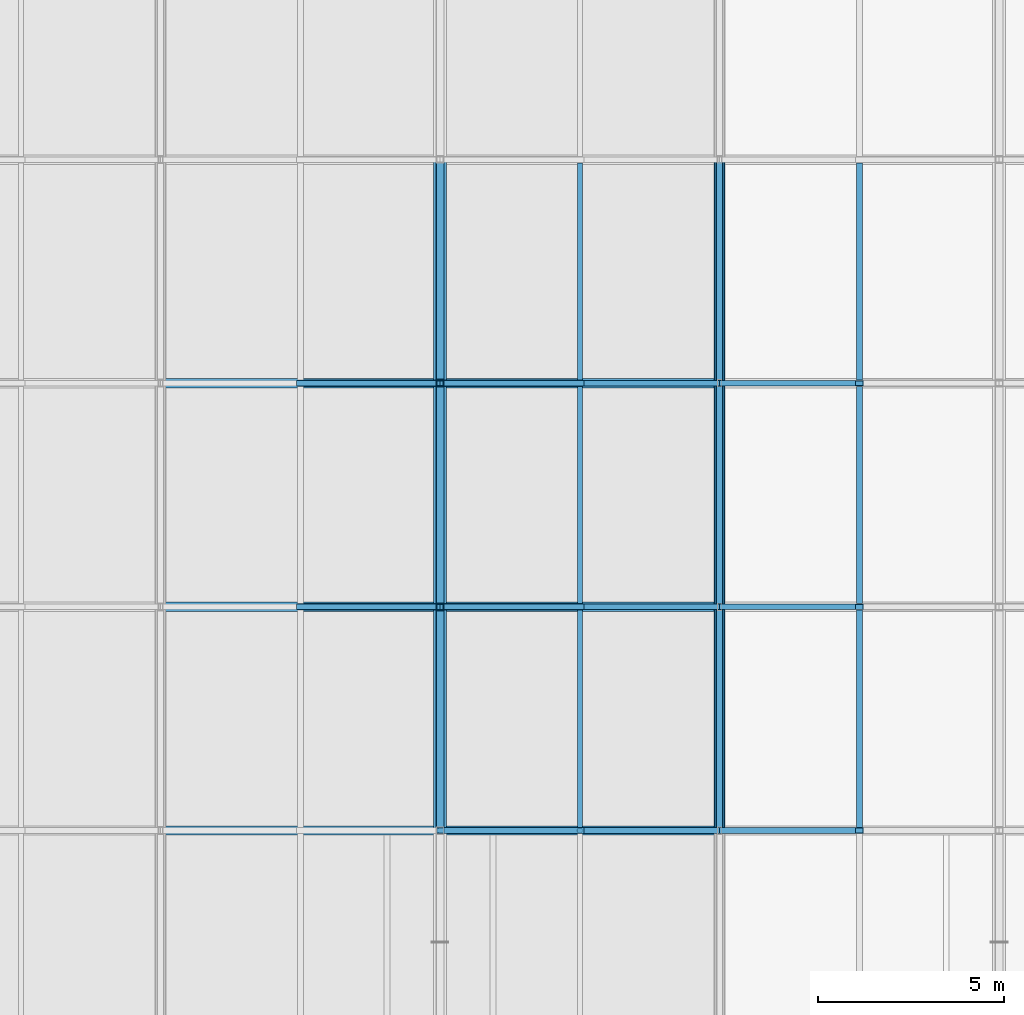
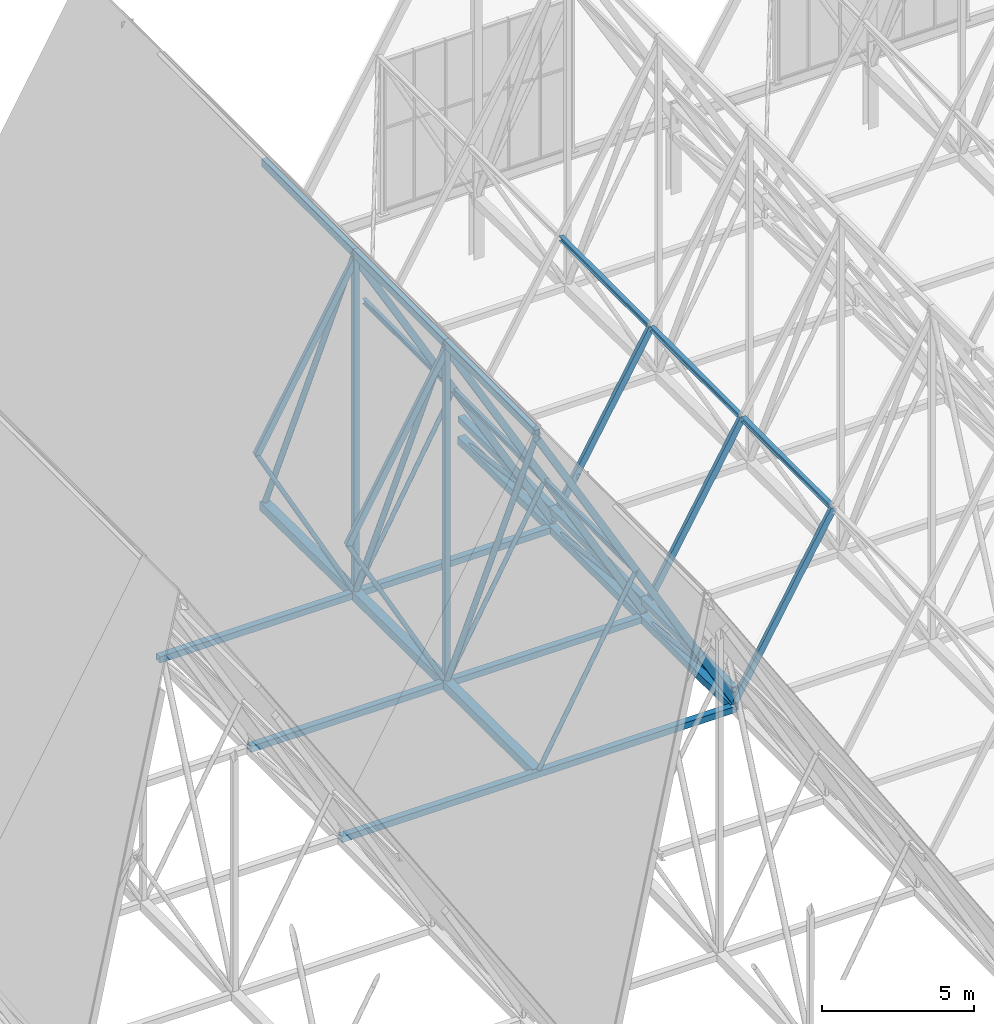
# One storey, part 152 of 324: 39 members, 6 beams.
"""IFC4 building model written with IfcOpenShell, lengths in metres."""

from ifc_helpers import new_model, si_unit, direction, frame, origin, origin_2d, place, context, subcontext, project, spatial, hollow_rectangle, hollow_circle, i_section, extrude, material, material_profile, profile_set, type_object, element, save


model = new_model("IFC4")

# Units and contexts
model_context = context("Model", 3, precision=1e-05, world=origin(), true_north=direction((0.0, 1.0)))
body_context = subcontext(model_context, "Body", "Model", "MODEL_VIEW")
ifc_project = project(units=[si_unit("LENGTHUNIT", "METRE"), si_unit("AREAUNIT", "SQUARE_METRE"), si_unit("VOLUMEUNIT", "CUBIC_METRE"), si_unit("PLANEANGLEUNIT", "RADIAN"), si_unit("MASSUNIT", "GRAM", prefix="KILO")], contexts=[model_context])

# Site, building, storey
site_placement = place(None, origin())
site = spatial("IfcSite", under=ifc_project, at=site_placement, CompositionType="ELEMENT")
building_placement = place(site_placement, origin())
building = spatial("IfcBuilding", under=site, at=building_placement, Name="Solvenia Promenade Tram Depot", CompositionType="ELEMENT")
storey_placement = place(building_placement, frame((0.0, 0.0, 4.5)))
storey = spatial("IfcBuildingStorey", under=building, at=storey_placement, Name="L01", CompositionType="ELEMENT", Elevation=4.5)

# Members
ifc_material_1 = material(Name="Structural steel ASTM A500 Gr. C", Category="steel")
ifc_material_profile_1 = material_profile(ifc_material_1, hollow_circle(Radius=0.109619140625, WallThickness=0.008056640625, at=origin_2d()), Name="CHS219.1x8", Category="steel")
ifc_profile_set_1 = profile_set([ifc_material_profile_1], Name="Structural steel ASTM A500 Gr. C")
member_type_1 = type_object("IfcMemberType", Name="Brace-CHS219x8", PredefinedType="BRACE", material=ifc_profile_set_1)
member_1_placement = place(storey_placement, frame((82.5, 102.0, 2.656005859375), z_axis=(0.0, -0.402054291977, 0.915615828993), x_axis=(1.0, 0.0, 0.0)))
element("IfcMember", 1, at=member_1_placement, inside=storey, type_object=member_type_1, Name="Arched Truss T12 Web Diagonal S06", PredefinedType="BRACE", context=body_context, shape_type="SweptSolid", body=[
    extrude(hollow_circle(Radius=0.109619140625, WallThickness=0.008056640625, at=origin_2d()), origin(), (0.0, 0.0, 1.0), 14.92333984375),
])
member_2_placement = place(storey_placement, frame((82.5, 108.0, 2.614013671875), z_axis=(0.0, -0.401020841263, 0.916068930197), x_axis=(1.0, 0.0, 0.0)))
element("IfcMember", 2, at=member_2_placement, inside=storey, type_object=member_type_1, Name="Arched Truss T12 Web Diagonal S07", PredefinedType="BRACE", context=body_context, shape_type="SweptSolid", body=[
    extrude(hollow_circle(Radius=0.109619140625, WallThickness=0.008056640625, at=origin_2d()), origin(), (0.0, 0.0, 1.0), 14.9619140625),
])
member_3_placement = place(storey_placement, frame((82.5, 114.0, 2.5439453125), z_axis=(0.0, -0.399307079177, 0.916817242704), x_axis=(1.0, 0.0, 0.0)))
element("IfcMember", 3, at=member_3_placement, inside=storey, type_object=member_type_1, Name="Arched Truss T12 Web Diagonal S08", PredefinedType="BRACE", context=body_context, shape_type="SweptSolid", body=[
    extrude(hollow_circle(Radius=0.109619140625, WallThickness=0.008056640625, at=origin_2d()), origin(), (0.0, 0.0, 1.0), 15.026123046875),
])
ifc_material_profile_2 = material_profile(ifc_material_1, hollow_rectangle(XDim=0.14990234375, YDim=0.25, WallThickness=0.010009765625, at=origin_2d()), Name="HSS250x150x10", Category="steel")
ifc_profile_set_2 = profile_set([ifc_material_profile_2], Name="Structural steel ASTM A500 Gr. C")
member_type_2 = type_object("IfcMemberType", Name="Chord-HSS250x150x10", PredefinedType="CHORD", material=ifc_profile_set_2)
for number, where, z_axis, x_axis, name in (
    (4, (82.5, 96.0, 16.086181640625), (0.494861595532, 0.0, -0.868971806946), (0.0, 1.0, 0.0), "Zigzag Gable 06 East Upper Rafter"),
    (5, (86.25, 96.0, 9.501220703125), (0.494861595532, 0.0, -0.868971806946), (0.0, 1.0, 0.0), "Zigzag Gable 06 East Lower Rafter"),
    (6, (78.75, 102.0, 9.501220703125), (0.494861595532, 0.0, 0.868971806946), (0.0, 1.0, 0.0), "Zigzag Gable 06 West Upper Rafter"),
    (7, (82.5, 102.0, 16.086181640625), (0.494861595532, 0.0, -0.868971806946), (0.0, 1.0, 0.0), "Zigzag Gable 06 East Upper Rafter"),
    (8, (86.25, 102.0, 9.501220703125), (0.494861595532, 0.0, -0.868971806946), (0.0, 1.0, 0.0), "Zigzag Gable 06 East Lower Rafter"),
    (9, (78.75, 108.0, 9.501220703125), (0.494861595532, 0.0, 0.868971806946), (0.0, 1.0, 0.0), "Zigzag Gable 06 West Upper Rafter"),
    (10, (82.5, 108.0, 16.086181640625), (0.494861595532, 0.0, -0.868971806946), (0.0, 1.0, 0.0), "Zigzag Gable 06 East Upper Rafter"),
    (11, (86.25, 108.0, 9.501220703125), (0.494861595532, 0.0, -0.868971806946), (0.0, 1.0, 0.0), "Zigzag Gable 06 East Lower Rafter"),
):
    element("IfcMember", number, at=place(storey_placement, frame(where, z_axis=z_axis, x_axis=x_axis)), inside=storey, type_object=member_type_2, Name=name, PredefinedType="CHORD", context=body_context, shape_type="SweptSolid", body=[
        extrude(hollow_rectangle(XDim=0.14990234375, YDim=0.25, WallThickness=0.010009765625, at=origin_2d()), origin(), (0.0, 0.0, 1.0), 7.577880859375),
    ])
for number, where, z_axis, x_axis, name in (
    (12, (90.0, 96.0, 2.921142578125), (0.501516268578, 0.0, 0.865148214095), (0.0, 1.0, 0.0), "Zigzag Gable 07 West Lower Rafter"),
    (13, (90.0, 102.0, 2.921142578125), (0.501516268578, 0.0, 0.865148214095), (0.0, 1.0, 0.0), "Zigzag Gable 07 West Lower Rafter"),
    (14, (90.0, 108.0, 2.921142578125), (0.501516268578, 0.0, 0.865148214095), (0.0, 1.0, 0.0), "Zigzag Gable 07 West Lower Rafter"),
):
    element("IfcMember", number, at=place(storey_placement, frame(where, z_axis=z_axis, x_axis=x_axis)), inside=storey, type_object=member_type_2, Name=name, PredefinedType="CHORD", context=body_context, shape_type="SweptSolid", body=[
        extrude(hollow_rectangle(XDim=0.14990234375, YDim=0.25, WallThickness=0.010009765625, at=origin_2d()), origin(), (0.0, 0.0, 1.0), 7.477294921875),
    ])
ifc_material_profile_3 = material_profile(ifc_material_1, hollow_rectangle(XDim=0.25, YDim=0.25, WallThickness=0.010009765625, at=origin_2d()), Name="HSS250x250x10", Category="steel")
ifc_profile_set_3 = profile_set([ifc_material_profile_3], Name="Structural steel ASTM A500 Gr. C")
member_type_3 = type_object("IfcMemberType", Name="Chord-HSS250x250x10", PredefinedType="CHORD", material=ifc_profile_set_3)
for number, where, z_axis, x_axis, name in (
    (15, (90.0, 96.0, 3.3798828125), (0.0, 1.0, 0.0), (-1.0, 0.0, 0.0), "Arched Truss T13 Upper Chord S06"),
    (16, (90.0, 102.0, 3.3798828125), (0.0, 1.0, 0.0), (-1.0, 0.0, 0.0), "Arched Truss T13 Upper Chord S07"),
    (17, (90.0, 108.0, 3.3798828125), (0.0, 1.0, 0.0), (-1.0, 0.0, 0.0), "Arched Truss T13 Upper Chord S08"),
):
    element("IfcMember", number, at=place(storey_placement, frame(where, z_axis=z_axis, x_axis=x_axis)), inside=storey, type_object=member_type_3, Name=name, PredefinedType="CHORD", context=body_context, shape_type="SweptSolid", body=[
        extrude(hollow_rectangle(XDim=0.25, YDim=0.25, WallThickness=0.010009765625, at=origin_2d()), origin(), (0.0, 0.0, 1.0), 6.0),
    ])
for number, where, z_axis, x_axis, name in (
    (18, (75.0, 96.0, 2.669921875), (1.0, 0.0, 0.0), (0.0, 1.0, 0.0), "Bottom-Chord Catenary Lateral Tie 050"),
    (19, (75.0, 102.0, 2.656005859375), (1.0, 0.0, 0.0), (0.0, 1.0, 0.0), "Bottom-Chord Catenary Lateral Tie 051"),
    (20, (75.0, 108.0, 2.614013671875), (1.0, 0.0, 0.0), (0.0, 1.0, 0.0), "Bottom-Chord Catenary Lateral Tie 052"),
):
    element("IfcMember", number, at=place(storey_placement, frame(where, z_axis=z_axis, x_axis=x_axis)), inside=storey, type_object=member_type_3, Name=name, PredefinedType="CHORD", context=body_context, shape_type="SweptSolid", body=[
        extrude(hollow_rectangle(XDim=0.25, YDim=0.25, WallThickness=0.010009765625, at=origin_2d()), origin(), (0.0, 0.0, 1.0), 15.0),
    ])
ifc_material_profile_4 = material_profile(ifc_material_1, hollow_rectangle(XDim=0.199951171875, YDim=0.300048828125, WallThickness=0.012451171875, at=origin_2d()), Name="HSS300x200x12.5", Category="steel")
ifc_profile_set_4 = profile_set([ifc_material_profile_4], Name="Structural steel ASTM A500 Gr. C")
member_type_4 = type_object("IfcMemberType", Name="Chord-HSS300x200x12", PredefinedType="CHORD", material=ifc_profile_set_4)
for number, where, z_axis, x_axis, name in (
    (21, (82.5, 96.0, 16.320068359375), (0.0, 1.0, 0.0), (-1.0, 0.0, 0.0), "Arched Truss T12 Upper Chord S06"),
    (22, (82.5, 102.0, 16.320068359375), (0.0, 1.0, 0.0), (-1.0, 0.0, 0.0), "Arched Truss T12 Upper Chord S07"),
    (23, (82.5, 108.0, 16.320068359375), (0.0, 1.0, 0.0), (-1.0, 0.0, 0.0), "Arched Truss T12 Upper Chord S08"),
):
    element("IfcMember", number, at=place(storey_placement, frame(where, z_axis=z_axis, x_axis=x_axis)), inside=storey, type_object=member_type_4, Name=name, PredefinedType="CHORD", context=body_context, shape_type="SweptSolid", body=[
        extrude(hollow_rectangle(XDim=0.199951171875, YDim=0.300048828125, WallThickness=0.012451171875, at=origin_2d()), origin(), (0.0, 0.0, 1.0), 6.0),
    ])
ifc_material_profile_5 = material_profile(ifc_material_1, hollow_rectangle(XDim=0.300048828125, YDim=0.300048828125, WallThickness=0.012451171875, at=origin_2d()), Name="HSS300x300x12.5", Category="steel")
ifc_profile_set_5 = profile_set([ifc_material_profile_5], Name="Structural steel ASTM A500 Gr. C")
member_type_5 = type_object("IfcMemberType", Name="Chord-HSS300x300x12", PredefinedType="CHORD", material=ifc_profile_set_5)
member_4_placement = place(storey_placement, frame((90.0, 96.0, 2.669921875), z_axis=(0.0, 0.999997310351, -0.002319329699), x_axis=(-1.0, 0.0, 0.0)))
element("IfcMember", 24, at=member_4_placement, inside=storey, type_object=member_type_5, Name="Arched Truss T13 Bottom Chord S06", PredefinedType="CHORD", context=body_context, shape_type="SweptSolid", body=[
    extrude(hollow_rectangle(XDim=0.300048828125, YDim=0.300048828125, WallThickness=0.012451171875, at=origin_2d()), origin(), (0.0, 0.0, 1.0), 6.0),
])
member_5_placement = place(storey_placement, frame((90.0, 102.0, 2.656005859375), z_axis=(0.0, 0.999975510013, -0.006998526519), x_axis=(-1.0, 0.0, 0.0)))
element("IfcMember", 25, at=member_5_placement, inside=storey, type_object=member_type_5, Name="Arched Truss T13 Bottom Chord S07", PredefinedType="CHORD", context=body_context, shape_type="SweptSolid", body=[
    extrude(hollow_rectangle(XDim=0.300048828125, YDim=0.300048828125, WallThickness=0.012451171875, at=origin_2d()), origin(), (0.0, 0.0, 1.0), 6.000244140625),
])
member_6_placement = place(storey_placement, frame((90.0, 108.0, 2.614013671875), z_axis=(0.0, 0.999931818432, -0.011677263667), x_axis=(-1.0, 0.0, 0.0)))
element("IfcMember", 26, at=member_6_placement, inside=storey, type_object=member_type_5, Name="Arched Truss T13 Bottom Chord S08", PredefinedType="CHORD", context=body_context, shape_type="SweptSolid", body=[
    extrude(hollow_rectangle(XDim=0.300048828125, YDim=0.300048828125, WallThickness=0.012451171875, at=origin_2d()), origin(), (0.0, 0.0, 1.0), 6.00048828125),
])
ifc_material_profile_6 = material_profile(ifc_material_1, hollow_rectangle(XDim=0.35009765625, YDim=0.35009765625, WallThickness=0.01611328125, at=origin_2d()), Name="HSS350x350x16", Category="steel")
ifc_profile_set_6 = profile_set([ifc_material_profile_6], Name="Structural steel ASTM A500 Gr. C")
member_type_6 = type_object("IfcMemberType", Name="Chord-HSS350x350x16", PredefinedType="CHORD", material=ifc_profile_set_6)
member_7_placement = place(storey_placement, frame((82.5, 96.0, 2.669921875), z_axis=(0.0, 0.999997310351, -0.002319329699), x_axis=(-1.0, 0.0, 0.0)))
element("IfcMember", 27, at=member_7_placement, inside=storey, type_object=member_type_6, Name="Arched Truss T12 Bottom Chord S06", PredefinedType="CHORD", context=body_context, shape_type="SweptSolid", body=[
    extrude(hollow_rectangle(XDim=0.35009765625, YDim=0.35009765625, WallThickness=0.01611328125, at=origin_2d()), origin(), (0.0, 0.0, 1.0), 6.0),
])
member_8_placement = place(storey_placement, frame((82.5, 102.0, 2.656005859375), z_axis=(0.0, 0.999975510013, -0.006998526519), x_axis=(-1.0, 0.0, 0.0)))
element("IfcMember", 28, at=member_8_placement, inside=storey, type_object=member_type_6, Name="Arched Truss T12 Bottom Chord S07", PredefinedType="CHORD", context=body_context, shape_type="SweptSolid", body=[
    extrude(hollow_rectangle(XDim=0.35009765625, YDim=0.35009765625, WallThickness=0.01611328125, at=origin_2d()), origin(), (0.0, 0.0, 1.0), 6.000244140625),
])
member_9_placement = place(storey_placement, frame((82.5, 108.0, 2.614013671875), z_axis=(0.0, 0.999931818432, -0.011677263667), x_axis=(-1.0, 0.0, 0.0)))
element("IfcMember", 29, at=member_9_placement, inside=storey, type_object=member_type_6, Name="Arched Truss T12 Bottom Chord S08", PredefinedType="CHORD", context=body_context, shape_type="SweptSolid", body=[
    extrude(hollow_rectangle(XDim=0.35009765625, YDim=0.35009765625, WallThickness=0.01611328125, at=origin_2d()), origin(), (0.0, 0.0, 1.0), 6.00048828125),
])
ifc_material_profile_7 = material_profile(ifc_material_1, hollow_rectangle(XDim=0.199951171875, YDim=0.199951171875, WallThickness=0.010009765625, at=origin_2d()), Name="HSS200x200x10", Category="steel")
ifc_profile_set_7 = profile_set([ifc_material_profile_7], Name="Structural steel ASTM A500 Gr. C")
member_type_7 = type_object("IfcMemberType", Name="Post-HSS200x200x10", PredefinedType="POST", material=ifc_profile_set_7)
member_10_placement = place(storey_placement, frame((82.5, 102.0, 2.656005859375), z_axis=(0.0, 0.0, 1.0), x_axis=(1.0, 0.0, 0.0)))
element("IfcMember", 30, at=member_10_placement, inside=storey, type_object=member_type_7, Name="Arched Truss T12 Web Post S06", PredefinedType="POST", context=body_context, shape_type="SweptSolid", body=[
    extrude(hollow_rectangle(XDim=0.199951171875, YDim=0.199951171875, WallThickness=0.010009765625, at=origin_2d()), origin(), (0.0, 0.0, 1.0), 13.6640625),
])
member_11_placement = place(storey_placement, frame((82.5, 108.0, 2.614013671875), z_axis=(0.0, 0.0, 1.0), x_axis=(1.0, 0.0, 0.0)))
element("IfcMember", 31, at=member_11_placement, inside=storey, type_object=member_type_7, Name="Arched Truss T12 Web Post S07", PredefinedType="POST", context=body_context, shape_type="SweptSolid", body=[
    extrude(hollow_rectangle(XDim=0.199951171875, YDim=0.199951171875, WallThickness=0.010009765625, at=origin_2d()), origin(), (0.0, 0.0, 1.0), 13.7060546875),
])

# Beams
ifc_material_2 = material(Name="Structural steel ASTM A992 Gr. 50", Category="steel")
ifc_material_profile_8 = material_profile(ifc_material_2, i_section(OverallWidth=0.133056640625, OverallDepth=0.20703125, WebThickness=0.005859375, FlangeThickness=0.00830078125, FilletRadius=0.009033203125, at=origin_2d()), Name="W200x27", Category="steel")
ifc_profile_set_8 = profile_set([ifc_material_profile_8], Name="Structural steel ASTM A992 Gr. 50")
beam_type_1 = type_object("IfcBeamType", Name="Purlin-W200x27", PredefinedType="USERDEFINED", material=ifc_profile_set_8)
for number, where, z_axis, x_axis, name in (
    (32, (86.25, 96.0849609375, 9.484130859375), (0.0, 1.0, 0.0), (-1.0, 0.0, 0.0), "Gable Roof Purlin E-0112"),
    (33, (86.25, 102.0849609375, 9.484130859375), (0.0, 1.0, 0.0), (-1.0, 0.0, 0.0), "Gable Roof Purlin E-0114"),
    (34, (86.25, 108.0849609375, 9.484130859375), (0.0, 1.0, 0.0), (-1.0, 0.0, 0.0), "Gable Roof Purlin E-0116"),
):
    element("IfcBeam", number, at=place(storey_placement, frame(where, z_axis=z_axis, x_axis=x_axis)), inside=storey, type_object=beam_type_1, Name=name, ObjectType="PURLIN", PredefinedType="USERDEFINED", context=body_context, shape_type="SweptSolid", body=[
        extrude(i_section(OverallWidth=0.133056640625, OverallDepth=0.20703125, WebThickness=0.005859375, FlangeThickness=0.00830078125, FilletRadius=0.009033203125, at=origin_2d()), origin(), (0.0, 0.0, 1.0), 5.830078125),
    ])
ifc_material_profile_9 = material_profile(ifc_material_2, i_section(OverallWidth=0.1650390625, OverallDepth=0.200927734375, WebThickness=0.006103515625, FlangeThickness=0.01025390625, FilletRadius=0.010009765625, at=origin_2d()), Name="W200x36", Category="steel")
ifc_profile_set_9 = profile_set([ifc_material_profile_9], Name="Structural steel ASTM A992 Gr. 50")
beam_type_2 = type_object("IfcBeamType", Name="Purlin-W200x36", PredefinedType="USERDEFINED", material=ifc_profile_set_9)
for number, where, z_axis, x_axis, name in (
    (35, (93.75, 96.0849609375, 9.375732421875), (0.0, 1.0, 0.0), (-1.0, 0.0, 0.0), "Gable Roof Purlin W-0131"),
    (36, (93.75, 102.0849609375, 9.375732421875), (0.0, 1.0, 0.0), (-1.0, 0.0, 0.0), "Gable Roof Purlin W-0133"),
    (37, (93.75, 108.0849609375, 9.375732421875), (0.0, 1.0, 0.0), (-1.0, 0.0, 0.0), "Gable Roof Purlin W-0135"),
):
    element("IfcBeam", number, at=place(storey_placement, frame(where, z_axis=z_axis, x_axis=x_axis)), inside=storey, type_object=beam_type_2, Name=name, ObjectType="PURLIN", PredefinedType="USERDEFINED", context=body_context, shape_type="SweptSolid", body=[
        extrude(i_section(OverallWidth=0.1650390625, OverallDepth=0.200927734375, WebThickness=0.006103515625, FlangeThickness=0.01025390625, FilletRadius=0.010009765625, at=origin_2d()), origin(), (0.0, 0.0, 1.0), 5.830078125),
    ])

# Members
ifc_material_profile_10 = material_profile(ifc_material_1, hollow_circle(Radius=0.084228515625, WallThickness=0.008056640625, at=origin_2d()), Name="CHS168.3x8", Category="steel")
ifc_profile_set_10 = profile_set([ifc_material_profile_10], Name="Structural steel ASTM A500 Gr. C")
member_type_8 = type_object("IfcMemberType", Name="WebDiag-CHS168x8", PredefinedType="BRACE", material=ifc_profile_set_10)
member_12_placement = place(storey_placement, frame((90.0, 102.0, 2.656005859375), z_axis=(0.0, -0.992800749036, 0.119777596879), x_axis=(1.0, 0.0, 0.0)))
element("IfcMember", 38, at=member_12_placement, inside=storey, type_object=member_type_8, Name="Arched Truss T13 Web Diagonal S06", PredefinedType="BRACE", context=body_context, shape_type="SweptSolid", body=[
    extrude(hollow_circle(Radius=0.084228515625, WallThickness=0.008056640625, at=origin_2d()), origin(), (0.0, 0.0, 1.0), 6.04345703125),
])
member_13_placement = place(storey_placement, frame((90.0, 108.0, 2.614013671875), z_axis=(0.0, -0.991951613347, 0.126617521609), x_axis=(1.0, 0.0, 0.0)))
element("IfcMember", 39, at=member_13_placement, inside=storey, type_object=member_type_8, Name="Arched Truss T13 Web Diagonal S07", PredefinedType="BRACE", context=body_context, shape_type="SweptSolid", body=[
    extrude(hollow_circle(Radius=0.084228515625, WallThickness=0.008056640625, at=origin_2d()), origin(), (0.0, 0.0, 1.0), 6.048583984375),
])
member_14_placement = place(storey_placement, frame((90.0, 114.0, 2.5439453125), z_axis=(0.0, -0.990433608353, 0.13799009908), x_axis=(1.0, 0.0, 0.0)))
element("IfcMember", 40, at=member_14_placement, inside=storey, type_object=member_type_8, Name="Arched Truss T13 Web Diagonal S08", PredefinedType="BRACE", context=body_context, shape_type="SweptSolid", body=[
    extrude(hollow_circle(Radius=0.084228515625, WallThickness=0.008056640625, at=origin_2d()), origin(), (0.0, 0.0, 1.0), 6.057861328125),
])
member_15_placement = place(storey_placement, frame((82.5, 96.0, 2.669921875), z_axis=(0.48120783409, 0.0, 0.876606536828), x_axis=(0.0, 1.0, 0.0)))
element("IfcMember", 41, at=member_15_placement, inside=storey, type_object=member_type_8, Name="Zigzag Gable 06 East Knee Strut", PredefinedType="BRACE", context=body_context, shape_type="SweptSolid", body=[
    extrude(hollow_circle(Radius=0.084228515625, WallThickness=0.008056640625, at=origin_2d()), origin(), (0.0, 0.0, 1.0), 7.79296875),
])
for number, where, z_axis, x_axis, name in (
    (42, (82.5, 102.0, 2.656005859375), (-0.480455559287, 0.0, 0.877019073652), (0.0, -1.0, 0.0), "Zigzag Gable 06 West Knee Strut"),
    (43, (82.5, 102.0, 2.656005859375), (0.480455559287, 0.0, 0.877019073652), (0.0, 1.0, 0.0), "Zigzag Gable 06 East Knee Strut"),
):
    element("IfcMember", number, at=place(storey_placement, frame(where, z_axis=z_axis, x_axis=x_axis)), inside=storey, type_object=member_type_8, Name=name, PredefinedType="BRACE", context=body_context, shape_type="SweptSolid", body=[
        extrude(hollow_circle(Radius=0.084228515625, WallThickness=0.008056640625, at=origin_2d()), origin(), (0.0, 0.0, 1.0), 7.80517578125),
    ])
for number, where, z_axis, x_axis, name in (
    (44, (82.5, 108.0, 2.614013671875), (-0.478197616955, 0.0, 0.878252263953), (0.0, -1.0, 0.0), "Zigzag Gable 06 West Knee Strut"),
    (45, (82.5, 108.0, 2.614013671875), (0.478197616955, 0.0, 0.878252263953), (0.0, 1.0, 0.0), "Zigzag Gable 06 East Knee Strut"),
):
    element("IfcMember", number, at=place(storey_placement, frame(where, z_axis=z_axis, x_axis=x_axis)), inside=storey, type_object=member_type_8, Name=name, PredefinedType="BRACE", context=body_context, shape_type="SweptSolid", body=[
        extrude(hollow_circle(Radius=0.084228515625, WallThickness=0.008056640625, at=origin_2d()), origin(), (0.0, 0.0, 1.0), 7.842041015625),
    ])

save(model, "model.ifc")
